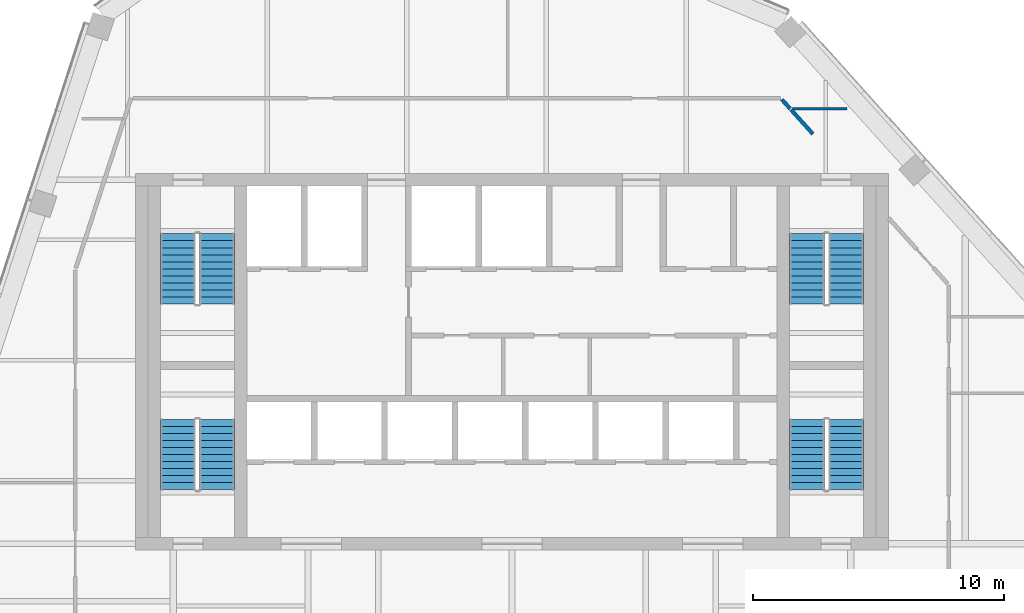
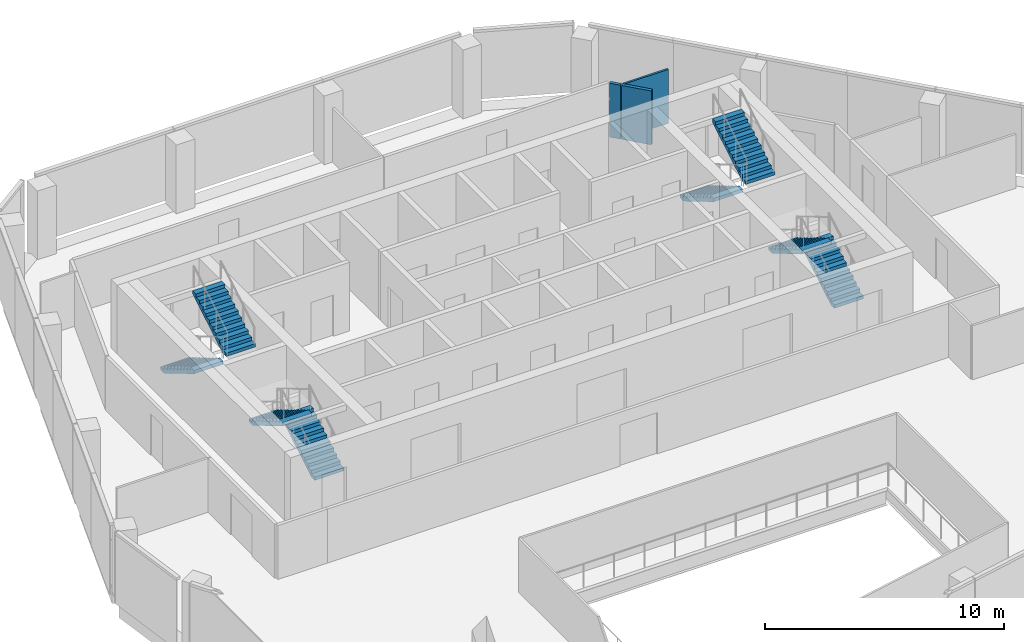
# One storey, part 10 of 15: 8 stair flights, 3 walls, 4 elements without a shape of their own.
"""IFC4 building model written with IfcOpenShell, lengths in metres."""

from ifc_helpers import new_model, si_unit, direction, frame, frame_2d, origin, place, context, subcontext, project, spatial, polyline, rectangle, outline, extrude, material, layer, layer_set, type_object, element, aggregate, save


model = new_model("IFC4")

# Units and contexts
model_context = context("Model", 3, precision=1e-05, world=origin(), true_north=direction((0.0, 1.0)))
body_context = subcontext(model_context, "Body", "Model", "MODEL_VIEW")
ifc_project = project(units=[si_unit("LENGTHUNIT", "METRE"), si_unit("AREAUNIT", "SQUARE_METRE"), si_unit("VOLUMEUNIT", "CUBIC_METRE"), si_unit("PLANEANGLEUNIT", "RADIAN"), si_unit("MASSUNIT", "GRAM", prefix="KILO")], contexts=[model_context])

# Site, building, storey
site_placement = place(None, origin())
site = spatial("IfcSite", under=ifc_project, at=site_placement, CompositionType="ELEMENT")
building_placement = place(site_placement, origin())
building = spatial("IfcBuilding", under=site, at=building_placement, Name="Isthmus Gate Tower", CompositionType="ELEMENT")
storey_placement = place(building_placement, frame((0.0, 0.0, 268.25)))
storey = spatial("IfcBuildingStorey", under=building, at=storey_placement, Name="L68", CompositionType="ELEMENT", Elevation=268.25)

# Walls
ifc_material_1 = material(Name="Gypsum board on steel studs, fire-rated", Category="steel")
ifc_layer_1 = layer(ifc_material_1, 0.14990234375)
ifc_layer_set_1 = layer_set([ifc_layer_1], Name="CORRIDOR WALL 150 60 MIN")
wall_type_1 = type_object("IfcWallType", Name="CORRIDOR WALL 150 60 MIN", PredefinedType="PARTITIONING", material=ifc_layer_set_1)
wall_1_placement = place(storey_placement, frame((10.752197265625, 17.9443359375, 0.0), z_axis=(0.0, 0.0, 1.0), x_axis=(0.669019774343, -0.74324460411, 0.0)))
element("IfcWall", 1, at=wall_1_placement, inside=storey, type_object=wall_type_1, Name="L68 Corridor Wall 150 60 Min", PredefinedType="PARTITIONING", context=body_context, shape_type="SweptSolid", body=[
    extrude(rectangle(XDim=0.489990234375, YDim=0.14990234375, at=frame_2d((0.2451171875, 0.0))), origin(), (0.0, 0.0, 1.0), 2.750732421875),
])
wall_2_placement = place(storey_placement, frame((11.113525390625, 17.542724609375, 0.0), z_axis=(0.0, 0.0, 1.0), x_axis=(0.669172057426, -0.743107500675, 0.0)))
element("IfcWall", 2, at=wall_2_placement, inside=storey, type_object=wall_type_1, Name="L68 Corridor Wall 150 60 Min", PredefinedType="PARTITIONING", context=body_context, shape_type="SweptSolid", body=[
    extrude(rectangle(XDim=1.301025390625, YDim=0.14990234375, at=frame_2d((0.650390625, 0.0))), origin(), (0.0, 0.0, 1.0), 2.750732421875),
])
ifc_material_2 = material(Name="Gypsum board on steel studs, fire-rated", Category="steel")
ifc_layer_2 = layer(ifc_material_2, 0.10009765625)
ifc_layer_set_2 = layer_set([ifc_layer_2], Name="ROOM PARTITION 100 30 MIN")
wall_type_2 = type_object("IfcWallType", Name="ROOM PARTITION 100 30 MIN", PredefinedType="PARTITIONING", material=ifc_layer_set_2)
wall_3_placement = place(storey_placement, frame((11.180908203125, 17.580078125, 0.0), z_axis=(0.0, 0.0, 1.0), x_axis=(1.0, 0.0, 0.0)))
element("IfcWall", 3, at=wall_3_placement, inside=storey, type_object=wall_type_2, Name="L68 Room Partition 100 30 Min", PredefinedType="PARTITIONING", context=body_context, shape_type="SweptSolid", body=[
    extrude(rectangle(XDim=2.156005859375, YDim=0.10009765625, at=frame_2d((1.078125, 0.0))), origin(), (0.0, 0.0, 1.0), 2.750732421875),
])

# Stair, stair flights
ifc_material_3 = material(Name="Concrete f'c 40 MPa", Category="concrete")
stair_type = type_object("IfcStairType", Name="CORE STAIR 22 RISERS", PredefinedType="HALF_TURN_STAIR", material=ifc_material_3)
stair_1_placement = place(storey_placement, origin())
stair_1 = element("IfcStair", 4, at=stair_1_placement, inside=storey, type_object=stair_type, Name="L68 Exit Stair 1", PredefinedType="HALF_TURN_STAIR")
ifc_material_4 = material(Name="Concrete f'c 40 MPa", Category="concrete")
stair_flight_type = type_object("IfcStairFlightType", Name="STAIR FLIGHT RC 1400", PredefinedType="STRAIGHT", material=ifc_material_4)
stair_flight_1_placement = place(storey_placement, frame((-13.300048828125, 12.60009765625, 0.0), z_axis=(0.0, 0.0, 1.0), x_axis=(0.0, -1.0, 0.0)))
stair_flight_1 = element("IfcStairFlight", 5, at=stair_flight_1_placement, type_object=stair_flight_type, Name="ST1 flight 1", NumberOfRisers=11, NumberOfTreads=10, PredefinedType="STRAIGHT", RiserHeight=0.165909091, TreadLength=0.28, context=body_context, shape_type="SweptSolid", body=[
    extrude(outline(polyline([(0.0, 0.0), (0.0, 0.166015625), (0.280029296875, 0.166015625), (0.280029296875, 0.331787109375), (0.56005859375, 0.331787109375), (0.56005859375, 0.497802734375), (0.840087890625, 0.497802734375), (0.840087890625, 0.66357421875), (1.1201171875, 0.66357421875), (1.1201171875, 0.82958984375), (1.39990234375, 0.82958984375), (1.39990234375, 0.995361328125), (1.679931640625, 0.995361328125), (1.679931640625, 1.161376953125), (1.9599609375, 1.161376953125), (1.9599609375, 1.327392578125), (2.239990234375, 1.327392578125), (2.239990234375, 1.4931640625), (2.52001953125, 1.4931640625), (2.52001953125, 1.6591796875), (2.800048828125, 1.6591796875), (2.800048828125, 1.824951171875), (2.800048828125, 1.48486328125), (0.2939453125, 0.0), (0.0, 0.0)])), frame((0.0, 0.699951171875, 0.0), z_axis=(0.0, -1.0, 0.0), x_axis=(1.0, 0.0, 0.0)), (0.0, 0.0, 1.0), 1.39990234375),
])
stair_flight_2_placement = place(storey_placement, frame((-11.75, 9.800048828125, 1.824951171875), z_axis=(0.0, 0.0, 1.0), x_axis=(0.0, 1.0, 0.0)))
stair_flight_2 = element("IfcStairFlight", 6, at=stair_flight_2_placement, type_object=stair_flight_type, Name="ST1 flight 2", NumberOfRisers=11, NumberOfTreads=10, PredefinedType="STRAIGHT", RiserHeight=0.165909091, TreadLength=0.28, context=body_context, shape_type="SweptSolid", body=[
    extrude(outline(polyline([(0.0, 0.0), (0.0, 0.166015625), (0.280029296875, 0.166015625), (0.280029296875, 0.331787109375), (0.56005859375, 0.331787109375), (0.56005859375, 0.497802734375), (0.840087890625, 0.497802734375), (0.840087890625, 0.66357421875), (1.1201171875, 0.66357421875), (1.1201171875, 0.82958984375), (1.39990234375, 0.82958984375), (1.39990234375, 0.995361328125), (1.679931640625, 0.995361328125), (1.679931640625, 1.161376953125), (1.9599609375, 1.161376953125), (1.9599609375, 1.327392578125), (2.239990234375, 1.327392578125), (2.239990234375, 1.4931640625), (2.52001953125, 1.4931640625), (2.52001953125, 1.6591796875), (2.800048828125, 1.6591796875), (2.800048828125, 1.824951171875), (2.800048828125, 1.48486328125), (0.2939453125, 0.0), (0.0, 0.0)])), frame((0.0, 0.699951171875, 0.0), z_axis=(0.0, -1.0, 0.0), x_axis=(1.0, 0.0, 0.0)), (0.0, 0.0, 1.0), 1.39990234375),
])
aggregate(stair_1, [stair_flight_1, stair_flight_2])

stair_2_placement = place(storey_placement, origin())
stair_2 = element("IfcStair", 7, at=stair_2_placement, inside=storey, type_object=stair_type, Name="L68 Exit Stair 2", PredefinedType="HALF_TURN_STAIR")
stair_flight_3_placement = place(storey_placement, frame((11.75, 12.60009765625, 0.0), z_axis=(0.0, 0.0, 1.0), x_axis=(0.0, -1.0, 0.0)))
stair_flight_3 = element("IfcStairFlight", 8, at=stair_flight_3_placement, type_object=stair_flight_type, Name="ST2 flight 1", NumberOfRisers=11, NumberOfTreads=10, PredefinedType="STRAIGHT", RiserHeight=0.165909091, TreadLength=0.28, context=body_context, shape_type="SweptSolid", body=[
    extrude(outline(polyline([(0.0, 0.0), (0.0, 0.166015625), (0.280029296875, 0.166015625), (0.280029296875, 0.331787109375), (0.56005859375, 0.331787109375), (0.56005859375, 0.497802734375), (0.840087890625, 0.497802734375), (0.840087890625, 0.66357421875), (1.1201171875, 0.66357421875), (1.1201171875, 0.82958984375), (1.39990234375, 0.82958984375), (1.39990234375, 0.995361328125), (1.679931640625, 0.995361328125), (1.679931640625, 1.161376953125), (1.9599609375, 1.161376953125), (1.9599609375, 1.327392578125), (2.239990234375, 1.327392578125), (2.239990234375, 1.4931640625), (2.52001953125, 1.4931640625), (2.52001953125, 1.6591796875), (2.800048828125, 1.6591796875), (2.800048828125, 1.824951171875), (2.800048828125, 1.48486328125), (0.2939453125, 0.0), (0.0, 0.0)])), frame((0.0, 0.699951171875, 0.0), z_axis=(0.0, -1.0, 0.0), x_axis=(1.0, 0.0, 0.0)), (0.0, 0.0, 1.0), 1.39990234375),
])
stair_flight_4_placement = place(storey_placement, frame((13.300048828125, 9.800048828125, 1.824951171875), z_axis=(0.0, 0.0, 1.0), x_axis=(0.0, 1.0, 0.0)))
stair_flight_4 = element("IfcStairFlight", 9, at=stair_flight_4_placement, type_object=stair_flight_type, Name="ST2 flight 2", NumberOfRisers=11, NumberOfTreads=10, PredefinedType="STRAIGHT", RiserHeight=0.165909091, TreadLength=0.28, context=body_context, shape_type="SweptSolid", body=[
    extrude(outline(polyline([(0.0, 0.0), (0.0, 0.166015625), (0.280029296875, 0.166015625), (0.280029296875, 0.331787109375), (0.56005859375, 0.331787109375), (0.56005859375, 0.497802734375), (0.840087890625, 0.497802734375), (0.840087890625, 0.66357421875), (1.1201171875, 0.66357421875), (1.1201171875, 0.82958984375), (1.39990234375, 0.82958984375), (1.39990234375, 0.995361328125), (1.679931640625, 0.995361328125), (1.679931640625, 1.161376953125), (1.9599609375, 1.161376953125), (1.9599609375, 1.327392578125), (2.239990234375, 1.327392578125), (2.239990234375, 1.4931640625), (2.52001953125, 1.4931640625), (2.52001953125, 1.6591796875), (2.800048828125, 1.6591796875), (2.800048828125, 1.824951171875), (2.800048828125, 1.48486328125), (0.2939453125, 0.0), (0.0, 0.0)])), frame((0.0, 0.699951171875, 0.0), z_axis=(0.0, -1.0, 0.0), x_axis=(1.0, 0.0, 0.0)), (0.0, 0.0, 1.0), 1.39990234375),
])
aggregate(stair_2, [stair_flight_3, stair_flight_4])

stair_3_placement = place(storey_placement, origin())
stair_3 = element("IfcStair", 10, at=stair_3_placement, inside=storey, type_object=stair_type, Name="L68 Exit Stair 7", PredefinedType="HALF_TURN_STAIR")
stair_flight_5_placement = place(storey_placement, frame((-11.75, 2.39990234375, 0.0), z_axis=(0.0, 0.0, 1.0), x_axis=(0.0, 1.0, 0.0)))
stair_flight_5 = element("IfcStairFlight", 11, at=stair_flight_5_placement, type_object=stair_flight_type, Name="ST7 flight 1", NumberOfRisers=11, NumberOfTreads=10, PredefinedType="STRAIGHT", RiserHeight=0.165909091, TreadLength=0.28, context=body_context, shape_type="SweptSolid", body=[
    extrude(outline(polyline([(0.0, 0.0), (0.0, 0.166015625), (0.280029296875, 0.166015625), (0.280029296875, 0.331787109375), (0.56005859375, 0.331787109375), (0.56005859375, 0.497802734375), (0.840087890625, 0.497802734375), (0.840087890625, 0.66357421875), (1.1201171875, 0.66357421875), (1.1201171875, 0.82958984375), (1.39990234375, 0.82958984375), (1.39990234375, 0.995361328125), (1.679931640625, 0.995361328125), (1.679931640625, 1.161376953125), (1.9599609375, 1.161376953125), (1.9599609375, 1.327392578125), (2.239990234375, 1.327392578125), (2.239990234375, 1.4931640625), (2.52001953125, 1.4931640625), (2.52001953125, 1.6591796875), (2.800048828125, 1.6591796875), (2.800048828125, 1.824951171875), (2.800048828125, 1.48486328125), (0.2939453125, 0.0), (0.0, 0.0)])), frame((0.0, 0.699951171875, 0.0), z_axis=(0.0, -1.0, 0.0), x_axis=(1.0, 0.0, 0.0)), (0.0, 0.0, 1.0), 1.39990234375),
])
stair_flight_6_placement = place(storey_placement, frame((-13.300048828125, 5.199951171875, 1.824951171875), z_axis=(0.0, 0.0, 1.0), x_axis=(0.0, -1.0, 0.0)))
stair_flight_6 = element("IfcStairFlight", 12, at=stair_flight_6_placement, type_object=stair_flight_type, Name="ST7 flight 2", NumberOfRisers=11, NumberOfTreads=10, PredefinedType="STRAIGHT", RiserHeight=0.165909091, TreadLength=0.28, context=body_context, shape_type="SweptSolid", body=[
    extrude(outline(polyline([(0.0, 0.0), (0.0, 0.166015625), (0.280029296875, 0.166015625), (0.280029296875, 0.331787109375), (0.56005859375, 0.331787109375), (0.56005859375, 0.497802734375), (0.840087890625, 0.497802734375), (0.840087890625, 0.66357421875), (1.1201171875, 0.66357421875), (1.1201171875, 0.82958984375), (1.39990234375, 0.82958984375), (1.39990234375, 0.995361328125), (1.679931640625, 0.995361328125), (1.679931640625, 1.161376953125), (1.9599609375, 1.161376953125), (1.9599609375, 1.327392578125), (2.239990234375, 1.327392578125), (2.239990234375, 1.4931640625), (2.52001953125, 1.4931640625), (2.52001953125, 1.6591796875), (2.800048828125, 1.6591796875), (2.800048828125, 1.824951171875), (2.800048828125, 1.48486328125), (0.2939453125, 0.0), (0.0, 0.0)])), frame((0.0, 0.699951171875, 0.0), z_axis=(0.0, -1.0, 0.0), x_axis=(1.0, 0.0, 0.0)), (0.0, 0.0, 1.0), 1.39990234375),
])
aggregate(stair_3, [stair_flight_5, stair_flight_6])

stair_4_placement = place(storey_placement, origin())
stair_4 = element("IfcStair", 13, at=stair_4_placement, inside=storey, type_object=stair_type, Name="L68 Exit Stair 8", PredefinedType="HALF_TURN_STAIR")
stair_flight_7_placement = place(storey_placement, frame((13.300048828125, 2.39990234375, 0.0), z_axis=(0.0, 0.0, 1.0), x_axis=(0.0, 1.0, 0.0)))
stair_flight_7 = element("IfcStairFlight", 14, at=stair_flight_7_placement, type_object=stair_flight_type, Name="ST8 flight 1", NumberOfRisers=11, NumberOfTreads=10, PredefinedType="STRAIGHT", RiserHeight=0.165909091, TreadLength=0.28, context=body_context, shape_type="SweptSolid", body=[
    extrude(outline(polyline([(0.0, 0.0), (0.0, 0.166015625), (0.280029296875, 0.166015625), (0.280029296875, 0.331787109375), (0.56005859375, 0.331787109375), (0.56005859375, 0.497802734375), (0.840087890625, 0.497802734375), (0.840087890625, 0.66357421875), (1.1201171875, 0.66357421875), (1.1201171875, 0.82958984375), (1.39990234375, 0.82958984375), (1.39990234375, 0.995361328125), (1.679931640625, 0.995361328125), (1.679931640625, 1.161376953125), (1.9599609375, 1.161376953125), (1.9599609375, 1.327392578125), (2.239990234375, 1.327392578125), (2.239990234375, 1.4931640625), (2.52001953125, 1.4931640625), (2.52001953125, 1.6591796875), (2.800048828125, 1.6591796875), (2.800048828125, 1.824951171875), (2.800048828125, 1.48486328125), (0.2939453125, 0.0), (0.0, 0.0)])), frame((0.0, 0.699951171875, 0.0), z_axis=(0.0, -1.0, 0.0), x_axis=(1.0, 0.0, 0.0)), (0.0, 0.0, 1.0), 1.39990234375),
])
stair_flight_8_placement = place(storey_placement, frame((11.75, 5.199951171875, 1.824951171875), z_axis=(0.0, 0.0, 1.0), x_axis=(0.0, -1.0, 0.0)))
stair_flight_8 = element("IfcStairFlight", 15, at=stair_flight_8_placement, type_object=stair_flight_type, Name="ST8 flight 2", NumberOfRisers=11, NumberOfTreads=10, PredefinedType="STRAIGHT", RiserHeight=0.165909091, TreadLength=0.28, context=body_context, shape_type="SweptSolid", body=[
    extrude(outline(polyline([(0.0, 0.0), (0.0, 0.166015625), (0.280029296875, 0.166015625), (0.280029296875, 0.331787109375), (0.56005859375, 0.331787109375), (0.56005859375, 0.497802734375), (0.840087890625, 0.497802734375), (0.840087890625, 0.66357421875), (1.1201171875, 0.66357421875), (1.1201171875, 0.82958984375), (1.39990234375, 0.82958984375), (1.39990234375, 0.995361328125), (1.679931640625, 0.995361328125), (1.679931640625, 1.161376953125), (1.9599609375, 1.161376953125), (1.9599609375, 1.327392578125), (2.239990234375, 1.327392578125), (2.239990234375, 1.4931640625), (2.52001953125, 1.4931640625), (2.52001953125, 1.6591796875), (2.800048828125, 1.6591796875), (2.800048828125, 1.824951171875), (2.800048828125, 1.48486328125), (0.2939453125, 0.0), (0.0, 0.0)])), frame((0.0, 0.699951171875, 0.0), z_axis=(0.0, -1.0, 0.0), x_axis=(1.0, 0.0, 0.0)), (0.0, 0.0, 1.0), 1.39990234375),
])
aggregate(stair_4, [stair_flight_7, stair_flight_8])

save(model, "model.ifc")
